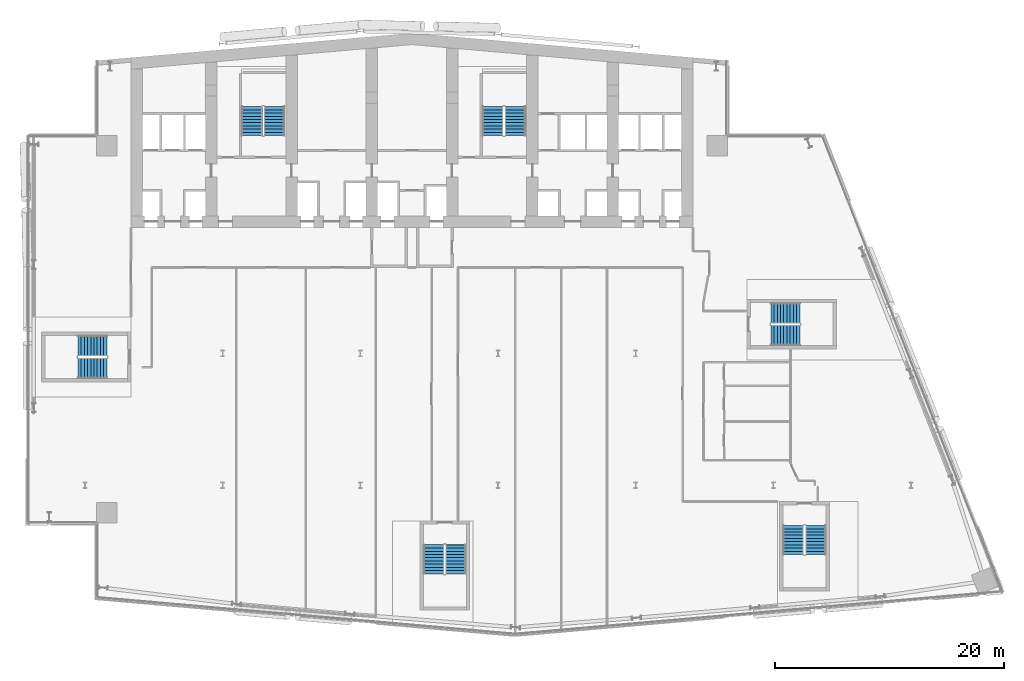
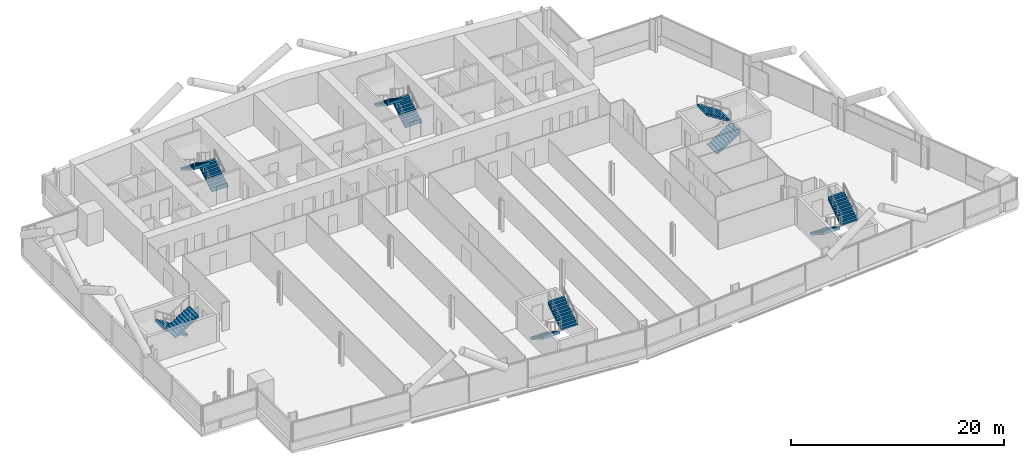
# One storey, part 19 of 25: 12 stair flights, 6 elements without a shape of their own.
"""IFC4 building model written with IfcOpenShell, lengths in metres."""

from ifc_helpers import new_model, si_unit, direction, frame, origin, place, context, subcontext, project, spatial, polyline, outline, extrude, material, type_object, element, aggregate, save


model = new_model("IFC4")

# Units and contexts
model_context = context("Model", 3, precision=1e-05, world=origin(), true_north=direction((0.0, 1.0)))
body_context = subcontext(model_context, "Body", "Model", "MODEL_VIEW")
ifc_project = project(units=[si_unit("LENGTHUNIT", "METRE"), si_unit("AREAUNIT", "SQUARE_METRE"), si_unit("VOLUMEUNIT", "CUBIC_METRE"), si_unit("PLANEANGLEUNIT", "RADIAN"), si_unit("MASSUNIT", "GRAM", prefix="KILO")], contexts=[model_context])

# Site, building, storey
site_placement = place(None, origin())
site = spatial("IfcSite", under=ifc_project, at=site_placement, CompositionType="ELEMENT")
building_placement = place(site_placement, origin())
building = spatial("IfcBuilding", under=site, at=building_placement, Name="Wharfspan Tower", CompositionType="ELEMENT")
storey_placement = place(building_placement, frame((0.0, 0.0, 121.899902)))
storey = spatial("IfcBuildingStorey", under=building, at=storey_placement, Name="L28", CompositionType="ELEMENT", Elevation=121.899902)

# Stair, stair flights
ifc_material = material(Name="Concrete C40/50", Category="concrete")
stair_type = type_object("IfcStairType", Name="Half-turn stair 20 risers 180 mm", PredefinedType="HALF_TURN_STAIR", material=ifc_material)
stair_1_placement = place(storey_placement, origin())
stair_1 = element("IfcStair", 1, at=stair_1_placement, inside=storey, type_object=stair_type, Name="L28 stair ST1", PredefinedType="HALF_TURN_STAIR")
stair_flight_type = type_object("IfcStairFlightType", Name="Stair flight 20 risers 180 mm", PredefinedType="STRAIGHT", material=ifc_material)
stair_flight_1_placement = place(storey_placement, frame((28.5, 42.0, 0.0), z_axis=(0.0, 0.0, 1.0), x_axis=(0.0, 1.0, 0.0)))
stair_flight_1 = element("IfcStairFlight", 2, at=stair_flight_1_placement, type_object=stair_flight_type, Name="ST1 flight 1", NumberOfRisers=10, NumberOfTreads=9, PredefinedType="STRAIGHT", RiserHeight=0.18, TreadLength=0.28, context=body_context, shape_type="SweptSolid", body=[
    extrude(outline(polyline([(-0.011963, 0.0), (-0.011963, 0.179932), (0.0, 0.179932), (0.280029, 0.179932), (0.280029, 0.360107), (0.560059, 0.360107), (0.560059, 0.540039), (0.840088, 0.540039), (0.840088, 0.719971), (1.120117, 0.719971), (1.120117, 0.899902), (1.399902, 0.899902), (1.399902, 1.080078), (1.679932, 1.080078), (1.679932, 1.26001), (1.959961, 1.26001), (1.959961, 1.439941), (2.23999, 1.439941), (2.23999, 1.620117), (2.52002, 1.620117), (2.531982, 1.800049), (2.531982, 1.441895), (0.2771, 0.0), (-0.011963, 0.0)])), frame((0.0, 0.899902, 0.0), z_axis=(0.0, -1.0, 0.0), x_axis=(1.0, 0.0, 0.0)), (0.0, 0.0, 1.0), 0.899414),
    extrude(outline(polyline([(-0.011963, 0.0), (-0.011963, 0.179932), (0.0, 0.179932), (0.280029, 0.179932), (0.280029, 0.360107), (0.560059, 0.360107), (0.560059, 0.540039), (0.840088, 0.540039), (0.840088, 0.719971), (1.120117, 0.719971), (1.120117, 0.899902), (1.399902, 0.899902), (1.399902, 1.080078), (1.679932, 1.080078), (1.679932, 1.26001), (1.959961, 1.26001), (1.959961, 1.439941), (2.23999, 1.439941), (2.23999, 1.620117), (2.52002, 1.620117), (2.531982, 1.800049), (2.531982, 1.441895), (0.2771, 0.0), (-0.011963, 0.0)])), frame((0.0, -0.000488, 0.0), z_axis=(0.0, -1.0, 0.0), x_axis=(1.0, 0.0, 0.0)), (0.0, 0.0, 1.0), 0.899414),
])
stair_flight_2_placement = place(storey_placement, frame((26.550049, 44.52002, 1.800049), z_axis=(0.0, 0.0, 1.0), x_axis=(0.0, -1.0, 0.0)))
stair_flight_2 = element("IfcStairFlight", 3, at=stair_flight_2_placement, type_object=stair_flight_type, Name="ST1 flight 2", NumberOfRisers=10, NumberOfTreads=9, PredefinedType="STRAIGHT", RiserHeight=0.18, TreadLength=0.28, context=body_context, shape_type="SweptSolid", body=[
    extrude(outline(polyline([(-0.011963, 0.0), (-0.011963, 0.179932), (0.0, 0.179932), (0.280029, 0.179932), (0.280029, 0.360107), (0.560059, 0.360107), (0.560059, 0.540039), (0.840088, 0.540039), (0.840088, 0.719971), (1.120117, 0.719971), (1.120117, 0.899902), (1.399902, 0.899902), (1.399902, 1.080078), (1.679932, 1.080078), (1.679932, 1.26001), (1.959961, 1.26001), (1.959961, 1.439941), (2.23999, 1.439941), (2.23999, 1.620117), (2.52002, 1.620117), (2.531982, 1.800049), (2.531982, 1.441895), (0.2771, 0.0), (-0.011963, 0.0)])), frame((0.0, 0.899902, 0.0), z_axis=(0.0, -1.0, 0.0), x_axis=(1.0, 0.0, 0.0)), (0.0, 0.0, 1.0), 0.899414),
    extrude(outline(polyline([(-0.011963, 0.0), (-0.011963, 0.179932), (0.0, 0.179932), (0.280029, 0.179932), (0.280029, 0.360107), (0.560059, 0.360107), (0.560059, 0.540039), (0.840088, 0.540039), (0.840088, 0.719971), (1.120117, 0.719971), (1.120117, 0.899902), (1.399902, 0.899902), (1.399902, 1.080078), (1.679932, 1.080078), (1.679932, 1.26001), (1.959961, 1.26001), (1.959961, 1.439941), (2.23999, 1.439941), (2.23999, 1.620117), (2.52002, 1.620117), (2.531982, 1.800049), (2.531982, 1.441895), (0.2771, 0.0), (-0.011963, 0.0)])), frame((0.0, -0.000488, 0.0), z_axis=(0.0, -1.0, 0.0), x_axis=(1.0, 0.0, 0.0)), (0.0, 0.0, 1.0), 0.899414),
])
aggregate(stair_1, [stair_flight_1, stair_flight_2])

stair_2_placement = place(storey_placement, origin())
stair_2 = element("IfcStair", 4, at=stair_2_placement, inside=storey, type_object=stair_type, Name="L28 stair ST2", PredefinedType="HALF_TURN_STAIR")
stair_flight_3_placement = place(storey_placement, frame((49.5, 42.0, 0.0), z_axis=(0.0, 0.0, 1.0), x_axis=(0.0, 1.0, 0.0)))
stair_flight_3 = element("IfcStairFlight", 5, at=stair_flight_3_placement, type_object=stair_flight_type, Name="ST2 flight 1", NumberOfRisers=10, NumberOfTreads=9, PredefinedType="STRAIGHT", RiserHeight=0.18, TreadLength=0.28, context=body_context, shape_type="SweptSolid", body=[
    extrude(outline(polyline([(-0.011963, 0.0), (-0.011963, 0.179932), (0.0, 0.179932), (0.280029, 0.179932), (0.280029, 0.360107), (0.560059, 0.360107), (0.560059, 0.540039), (0.840088, 0.540039), (0.840088, 0.719971), (1.120117, 0.719971), (1.120117, 0.899902), (1.399902, 0.899902), (1.399902, 1.080078), (1.679932, 1.080078), (1.679932, 1.26001), (1.959961, 1.26001), (1.959961, 1.439941), (2.23999, 1.439941), (2.23999, 1.620117), (2.52002, 1.620117), (2.531982, 1.800049), (2.531982, 1.441895), (0.2771, 0.0), (-0.011963, 0.0)])), frame((0.0, 0.899902, 0.0), z_axis=(0.0, -1.0, 0.0), x_axis=(1.0, 0.0, 0.0)), (0.0, 0.0, 1.0), 0.899414),
    extrude(outline(polyline([(-0.011963, 0.0), (-0.011963, 0.179932), (0.0, 0.179932), (0.280029, 0.179932), (0.280029, 0.360107), (0.560059, 0.360107), (0.560059, 0.540039), (0.840088, 0.540039), (0.840088, 0.719971), (1.120117, 0.719971), (1.120117, 0.899902), (1.399902, 0.899902), (1.399902, 1.080078), (1.679932, 1.080078), (1.679932, 1.26001), (1.959961, 1.26001), (1.959961, 1.439941), (2.23999, 1.439941), (2.23999, 1.620117), (2.52002, 1.620117), (2.531982, 1.800049), (2.531982, 1.441895), (0.2771, 0.0), (-0.011963, 0.0)])), frame((0.0, -0.000488, 0.0), z_axis=(0.0, -1.0, 0.0), x_axis=(1.0, 0.0, 0.0)), (0.0, 0.0, 1.0), 0.899414),
])
stair_flight_4_placement = place(storey_placement, frame((47.550049, 44.52002, 1.800049), z_axis=(0.0, 0.0, 1.0), x_axis=(0.0, -1.0, 0.0)))
stair_flight_4 = element("IfcStairFlight", 6, at=stair_flight_4_placement, type_object=stair_flight_type, Name="ST2 flight 2", NumberOfRisers=10, NumberOfTreads=9, PredefinedType="STRAIGHT", RiserHeight=0.18, TreadLength=0.28, context=body_context, shape_type="SweptSolid", body=[
    extrude(outline(polyline([(-0.011963, 0.0), (-0.011963, 0.179932), (0.0, 0.179932), (0.280029, 0.179932), (0.280029, 0.360107), (0.560059, 0.360107), (0.560059, 0.540039), (0.840088, 0.540039), (0.840088, 0.719971), (1.120117, 0.719971), (1.120117, 0.899902), (1.399902, 0.899902), (1.399902, 1.080078), (1.679932, 1.080078), (1.679932, 1.26001), (1.959961, 1.26001), (1.959961, 1.439941), (2.23999, 1.439941), (2.23999, 1.620117), (2.52002, 1.620117), (2.531982, 1.800049), (2.531982, 1.441895), (0.2771, 0.0), (-0.011963, 0.0)])), frame((0.0, 0.899902, 0.0), z_axis=(0.0, -1.0, 0.0), x_axis=(1.0, 0.0, 0.0)), (0.0, 0.0, 1.0), 0.899414),
    extrude(outline(polyline([(-0.011963, 0.0), (-0.011963, 0.179932), (0.0, 0.179932), (0.280029, 0.179932), (0.280029, 0.360107), (0.560059, 0.360107), (0.560059, 0.540039), (0.840088, 0.540039), (0.840088, 0.719971), (1.120117, 0.719971), (1.120117, 0.899902), (1.399902, 0.899902), (1.399902, 1.080078), (1.679932, 1.080078), (1.679932, 1.26001), (1.959961, 1.26001), (1.959961, 1.439941), (2.23999, 1.439941), (2.23999, 1.620117), (2.52002, 1.620117), (2.531982, 1.800049), (2.531982, 1.441895), (0.2771, 0.0), (-0.011963, 0.0)])), frame((0.0, -0.000488, 0.0), z_axis=(0.0, -1.0, 0.0), x_axis=(1.0, 0.0, 0.0)), (0.0, 0.0, 1.0), 0.899414),
])
aggregate(stair_2, [stair_flight_3, stair_flight_4])

stair_3_placement = place(storey_placement, origin())
stair_3 = element("IfcStair", 7, at=stair_3_placement, inside=storey, type_object=stair_type, Name="L28 stair ST3", PredefinedType="HALF_TURN_STAIR")
stair_flight_5_placement = place(storey_placement, frame((13.899902, 23.675049, 0.0), z_axis=(0.0, 0.0, 1.0), x_axis=(-1.0, 0.0, 0.0)))
stair_flight_5 = element("IfcStairFlight", 8, at=stair_flight_5_placement, type_object=stair_flight_type, Name="ST3 flight 1", NumberOfRisers=10, NumberOfTreads=9, PredefinedType="STRAIGHT", RiserHeight=0.18, TreadLength=0.28, context=body_context, shape_type="SweptSolid", body=[
    extrude(outline(polyline([(-0.011963, 0.0), (-0.011963, 0.179932), (0.0, 0.179932), (0.280029, 0.179932), (0.280029, 0.360107), (0.560059, 0.360107), (0.560059, 0.540039), (0.840088, 0.540039), (0.840088, 0.719971), (1.120117, 0.719971), (1.120117, 0.899902), (1.399902, 0.899902), (1.399902, 1.080078), (1.679932, 1.080078), (1.679932, 1.26001), (1.959961, 1.26001), (1.959961, 1.439941), (2.23999, 1.439941), (2.23999, 1.620117), (2.52002, 1.620117), (2.531982, 1.800049), (2.531982, 1.441895), (0.2771, 0.0), (-0.011963, 0.0)])), frame((0.0, 0.899902, 0.0), z_axis=(0.0, -1.0, 0.0), x_axis=(1.0, 0.0, 0.0)), (0.0, 0.0, 1.0), 0.899414),
    extrude(outline(polyline([(-0.011963, 0.0), (-0.011963, 0.179932), (0.0, 0.179932), (0.280029, 0.179932), (0.280029, 0.360107), (0.560059, 0.360107), (0.560059, 0.540039), (0.840088, 0.540039), (0.840088, 0.719971), (1.120117, 0.719971), (1.120117, 0.899902), (1.399902, 0.899902), (1.399902, 1.080078), (1.679932, 1.080078), (1.679932, 1.26001), (1.959961, 1.26001), (1.959961, 1.439941), (2.23999, 1.439941), (2.23999, 1.620117), (2.52002, 1.620117), (2.531982, 1.800049), (2.531982, 1.441895), (0.2771, 0.0), (-0.011963, 0.0)])), frame((0.0, -0.000488, 0.0), z_axis=(0.0, -1.0, 0.0), x_axis=(1.0, 0.0, 0.0)), (0.0, 0.0, 1.0), 0.899414),
])
stair_flight_6_placement = place(storey_placement, frame((11.379883, 21.725098, 1.800049), z_axis=(0.0, 0.0, 1.0), x_axis=(1.0, 0.0, 0.0)))
stair_flight_6 = element("IfcStairFlight", 9, at=stair_flight_6_placement, type_object=stair_flight_type, Name="ST3 flight 2", NumberOfRisers=10, NumberOfTreads=9, PredefinedType="STRAIGHT", RiserHeight=0.18, TreadLength=0.28, context=body_context, shape_type="SweptSolid", body=[
    extrude(outline(polyline([(-0.011963, 0.0), (-0.011963, 0.179932), (0.0, 0.179932), (0.280029, 0.179932), (0.280029, 0.360107), (0.560059, 0.360107), (0.560059, 0.540039), (0.840088, 0.540039), (0.840088, 0.719971), (1.120117, 0.719971), (1.120117, 0.899902), (1.399902, 0.899902), (1.399902, 1.080078), (1.679932, 1.080078), (1.679932, 1.26001), (1.959961, 1.26001), (1.959961, 1.439941), (2.23999, 1.439941), (2.23999, 1.620117), (2.52002, 1.620117), (2.531982, 1.800049), (2.531982, 1.441895), (0.2771, 0.0), (-0.011963, 0.0)])), frame((0.0, 0.899902, 0.0), z_axis=(0.0, -1.0, 0.0), x_axis=(1.0, 0.0, 0.0)), (0.0, 0.0, 1.0), 0.899414),
    extrude(outline(polyline([(-0.011963, 0.0), (-0.011963, 0.179932), (0.0, 0.179932), (0.280029, 0.179932), (0.280029, 0.360107), (0.560059, 0.360107), (0.560059, 0.540039), (0.840088, 0.540039), (0.840088, 0.719971), (1.120117, 0.719971), (1.120117, 0.899902), (1.399902, 0.899902), (1.399902, 1.080078), (1.679932, 1.080078), (1.679932, 1.26001), (1.959961, 1.26001), (1.959961, 1.439941), (2.23999, 1.439941), (2.23999, 1.620117), (2.52002, 1.620117), (2.531982, 1.800049), (2.531982, 1.441895), (0.2771, 0.0), (-0.011963, 0.0)])), frame((0.0, -0.000488, 0.0), z_axis=(0.0, -1.0, 0.0), x_axis=(1.0, 0.0, 0.0)), (0.0, 0.0, 1.0), 0.899414),
])
aggregate(stair_3, [stair_flight_5, stair_flight_6])

stair_4_placement = place(storey_placement, origin())
stair_4 = element("IfcStair", 10, at=stair_4_placement, inside=storey, type_object=stair_type, Name="L28 stair ST4", PredefinedType="HALF_TURN_STAIR")
stair_flight_7_placement = place(storey_placement, frame((42.385254, 6.316895, 0.0), z_axis=(0.0, 0.0, 1.0), x_axis=(0.0, -1.0, 0.0)))
stair_flight_7 = element("IfcStairFlight", 11, at=stair_flight_7_placement, type_object=stair_flight_type, Name="ST4 flight 1", NumberOfRisers=10, NumberOfTreads=9, PredefinedType="STRAIGHT", RiserHeight=0.18, TreadLength=0.28, context=body_context, shape_type="SweptSolid", body=[
    extrude(outline(polyline([(-0.011963, 0.0), (-0.011963, 0.179932), (0.0, 0.179932), (0.280029, 0.179932), (0.280029, 0.360107), (0.560059, 0.360107), (0.560059, 0.540039), (0.840088, 0.540039), (0.840088, 0.719971), (1.120117, 0.719971), (1.120117, 0.899902), (1.399902, 0.899902), (1.399902, 1.080078), (1.679932, 1.080078), (1.679932, 1.26001), (1.959961, 1.26001), (1.959961, 1.439941), (2.23999, 1.439941), (2.23999, 1.620117), (2.52002, 1.620117), (2.531982, 1.800049), (2.531982, 1.441895), (0.2771, 0.0), (-0.011963, 0.0)])), frame((0.0, 0.899902, 0.0), z_axis=(0.0, -1.0, 0.0), x_axis=(1.0, 0.0, 0.0)), (0.0, 0.0, 1.0), 0.899414),
    extrude(outline(polyline([(-0.011963, 0.0), (-0.011963, 0.179932), (0.0, 0.179932), (0.280029, 0.179932), (0.280029, 0.360107), (0.560059, 0.360107), (0.560059, 0.540039), (0.840088, 0.540039), (0.840088, 0.719971), (1.120117, 0.719971), (1.120117, 0.899902), (1.399902, 0.899902), (1.399902, 1.080078), (1.679932, 1.080078), (1.679932, 1.26001), (1.959961, 1.26001), (1.959961, 1.439941), (2.23999, 1.439941), (2.23999, 1.620117), (2.52002, 1.620117), (2.531982, 1.800049), (2.531982, 1.441895), (0.2771, 0.0), (-0.011963, 0.0)])), frame((0.0, -0.000488, 0.0), z_axis=(0.0, -1.0, 0.0), x_axis=(1.0, 0.0, 0.0)), (0.0, 0.0, 1.0), 0.899414),
])
stair_flight_8_placement = place(storey_placement, frame((44.335205, 3.796875, 1.800049), z_axis=(0.0, 0.0, 1.0), x_axis=(0.0, 1.0, 0.0)))
stair_flight_8 = element("IfcStairFlight", 12, at=stair_flight_8_placement, type_object=stair_flight_type, Name="ST4 flight 2", NumberOfRisers=10, NumberOfTreads=9, PredefinedType="STRAIGHT", RiserHeight=0.18, TreadLength=0.28, context=body_context, shape_type="SweptSolid", body=[
    extrude(outline(polyline([(-0.011963, 0.0), (-0.011963, 0.179932), (0.0, 0.179932), (0.280029, 0.179932), (0.280029, 0.360107), (0.560059, 0.360107), (0.560059, 0.540039), (0.840088, 0.540039), (0.840088, 0.719971), (1.120117, 0.719971), (1.120117, 0.899902), (1.399902, 0.899902), (1.399902, 1.080078), (1.679932, 1.080078), (1.679932, 1.26001), (1.959961, 1.26001), (1.959961, 1.439941), (2.23999, 1.439941), (2.23999, 1.620117), (2.52002, 1.620117), (2.531982, 1.800049), (2.531982, 1.441895), (0.2771, 0.0), (-0.011963, 0.0)])), frame((0.0, 0.899902, 0.0), z_axis=(0.0, -1.0, 0.0), x_axis=(1.0, 0.0, 0.0)), (0.0, 0.0, 1.0), 0.899414),
    extrude(outline(polyline([(-0.011963, 0.0), (-0.011963, 0.179932), (0.0, 0.179932), (0.280029, 0.179932), (0.280029, 0.360107), (0.560059, 0.360107), (0.560059, 0.540039), (0.840088, 0.540039), (0.840088, 0.719971), (1.120117, 0.719971), (1.120117, 0.899902), (1.399902, 0.899902), (1.399902, 1.080078), (1.679932, 1.080078), (1.679932, 1.26001), (1.959961, 1.26001), (1.959961, 1.439941), (2.23999, 1.439941), (2.23999, 1.620117), (2.52002, 1.620117), (2.531982, 1.800049), (2.531982, 1.441895), (0.2771, 0.0), (-0.011963, 0.0)])), frame((0.0, -0.000488, 0.0), z_axis=(0.0, -1.0, 0.0), x_axis=(1.0, 0.0, 0.0)), (0.0, 0.0, 1.0), 0.899414),
])
aggregate(stair_4, [stair_flight_7, stair_flight_8])

stair_5_placement = place(storey_placement, origin())
stair_5 = element("IfcStair", 13, at=stair_5_placement, inside=storey, type_object=stair_type, Name="L28 stair ST5", PredefinedType="HALF_TURN_STAIR")
stair_flight_9_placement = place(storey_placement, frame((73.740967, 7.994629, 0.0), z_axis=(0.0, 0.0, 1.0), x_axis=(0.0, -1.0, 0.0)))
stair_flight_9 = element("IfcStairFlight", 14, at=stair_flight_9_placement, type_object=stair_flight_type, Name="ST5 flight 1", NumberOfRisers=10, NumberOfTreads=9, PredefinedType="STRAIGHT", RiserHeight=0.18, TreadLength=0.28, context=body_context, shape_type="SweptSolid", body=[
    extrude(outline(polyline([(-0.011963, 0.0), (-0.011963, 0.179932), (0.0, 0.179932), (0.280029, 0.179932), (0.280029, 0.360107), (0.560059, 0.360107), (0.560059, 0.540039), (0.840088, 0.540039), (0.840088, 0.719971), (1.120117, 0.719971), (1.120117, 0.899902), (1.399902, 0.899902), (1.399902, 1.080078), (1.679932, 1.080078), (1.679932, 1.26001), (1.959961, 1.26001), (1.959961, 1.439941), (2.23999, 1.439941), (2.23999, 1.620117), (2.52002, 1.620117), (2.531982, 1.800049), (2.531982, 1.441895), (0.2771, 0.0), (-0.011963, 0.0)])), frame((0.0, 0.899902, 0.0), z_axis=(0.0, -1.0, 0.0), x_axis=(1.0, 0.0, 0.0)), (0.0, 0.0, 1.0), 0.899414),
    extrude(outline(polyline([(-0.011963, 0.0), (-0.011963, 0.179932), (0.0, 0.179932), (0.280029, 0.179932), (0.280029, 0.360107), (0.560059, 0.360107), (0.560059, 0.540039), (0.840088, 0.540039), (0.840088, 0.719971), (1.120117, 0.719971), (1.120117, 0.899902), (1.399902, 0.899902), (1.399902, 1.080078), (1.679932, 1.080078), (1.679932, 1.26001), (1.959961, 1.26001), (1.959961, 1.439941), (2.23999, 1.439941), (2.23999, 1.620117), (2.52002, 1.620117), (2.531982, 1.800049), (2.531982, 1.441895), (0.2771, 0.0), (-0.011963, 0.0)])), frame((0.0, -0.000488, 0.0), z_axis=(0.0, -1.0, 0.0), x_axis=(1.0, 0.0, 0.0)), (0.0, 0.0, 1.0), 0.899414),
])
stair_flight_10_placement = place(storey_placement, frame((75.690918, 5.474609, 1.800049), z_axis=(0.0, 0.0, 1.0), x_axis=(0.0, 1.0, 0.0)))
stair_flight_10 = element("IfcStairFlight", 15, at=stair_flight_10_placement, type_object=stair_flight_type, Name="ST5 flight 2", NumberOfRisers=10, NumberOfTreads=9, PredefinedType="STRAIGHT", RiserHeight=0.18, TreadLength=0.28, context=body_context, shape_type="SweptSolid", body=[
    extrude(outline(polyline([(-0.011963, 0.0), (-0.011963, 0.179932), (0.0, 0.179932), (0.280029, 0.179932), (0.280029, 0.360107), (0.560059, 0.360107), (0.560059, 0.540039), (0.840088, 0.540039), (0.840088, 0.719971), (1.120117, 0.719971), (1.120117, 0.899902), (1.399902, 0.899902), (1.399902, 1.080078), (1.679932, 1.080078), (1.679932, 1.26001), (1.959961, 1.26001), (1.959961, 1.439941), (2.23999, 1.439941), (2.23999, 1.620117), (2.52002, 1.620117), (2.531982, 1.800049), (2.531982, 1.441895), (0.2771, 0.0), (-0.011963, 0.0)])), frame((0.0, 0.899902, 0.0), z_axis=(0.0, -1.0, 0.0), x_axis=(1.0, 0.0, 0.0)), (0.0, 0.0, 1.0), 0.899414),
    extrude(outline(polyline([(-0.011963, 0.0), (-0.011963, 0.179932), (0.0, 0.179932), (0.280029, 0.179932), (0.280029, 0.360107), (0.560059, 0.360107), (0.560059, 0.540039), (0.840088, 0.540039), (0.840088, 0.719971), (1.120117, 0.719971), (1.120117, 0.899902), (1.399902, 0.899902), (1.399902, 1.080078), (1.679932, 1.080078), (1.679932, 1.26001), (1.959961, 1.26001), (1.959961, 1.439941), (2.23999, 1.439941), (2.23999, 1.620117), (2.52002, 1.620117), (2.531982, 1.800049), (2.531982, 1.441895), (0.2771, 0.0), (-0.011963, 0.0)])), frame((0.0, -0.000488, 0.0), z_axis=(0.0, -1.0, 0.0), x_axis=(1.0, 0.0, 0.0)), (0.0, 0.0, 1.0), 0.899414),
])
aggregate(stair_5, [stair_flight_9, stair_flight_10])

stair_6_placement = place(storey_placement, origin())
stair_6 = element("IfcStair", 16, at=stair_6_placement, inside=storey, type_object=stair_type, Name="L28 stair ST6", PredefinedType="HALF_TURN_STAIR")
stair_flight_11_placement = place(storey_placement, frame((71.790283, 24.574951, 0.0), z_axis=(0.0, 0.0, 1.0), x_axis=(1.0, 0.0, 0.0)))
stair_flight_11 = element("IfcStairFlight", 17, at=stair_flight_11_placement, type_object=stair_flight_type, Name="ST6 flight 1", NumberOfRisers=10, NumberOfTreads=9, PredefinedType="STRAIGHT", RiserHeight=0.18, TreadLength=0.28, context=body_context, shape_type="SweptSolid", body=[
    extrude(outline(polyline([(-0.011963, 0.0), (-0.011963, 0.179932), (0.0, 0.179932), (0.280029, 0.179932), (0.280029, 0.360107), (0.560059, 0.360107), (0.560059, 0.540039), (0.840088, 0.540039), (0.840088, 0.719971), (1.120117, 0.719971), (1.120117, 0.899902), (1.399902, 0.899902), (1.399902, 1.080078), (1.679932, 1.080078), (1.679932, 1.26001), (1.959961, 1.26001), (1.959961, 1.439941), (2.23999, 1.439941), (2.23999, 1.620117), (2.52002, 1.620117), (2.531982, 1.800049), (2.531982, 1.441895), (0.2771, 0.0), (-0.011963, 0.0)])), frame((0.0, 0.899902, 0.0), z_axis=(0.0, -1.0, 0.0), x_axis=(1.0, 0.0, 0.0)), (0.0, 0.0, 1.0), 0.899414),
    extrude(outline(polyline([(-0.011963, 0.0), (-0.011963, 0.179932), (0.0, 0.179932), (0.280029, 0.179932), (0.280029, 0.360107), (0.560059, 0.360107), (0.560059, 0.540039), (0.840088, 0.540039), (0.840088, 0.719971), (1.120117, 0.719971), (1.120117, 0.899902), (1.399902, 0.899902), (1.399902, 1.080078), (1.679932, 1.080078), (1.679932, 1.26001), (1.959961, 1.26001), (1.959961, 1.439941), (2.23999, 1.439941), (2.23999, 1.620117), (2.52002, 1.620117), (2.531982, 1.800049), (2.531982, 1.441895), (0.2771, 0.0), (-0.011963, 0.0)])), frame((0.0, -0.000488, 0.0), z_axis=(0.0, -1.0, 0.0), x_axis=(1.0, 0.0, 0.0)), (0.0, 0.0, 1.0), 0.899414),
])
stair_flight_12_placement = place(storey_placement, frame((74.310303, 26.524902, 1.800049), z_axis=(0.0, 0.0, 1.0), x_axis=(-1.0, 0.0, 0.0)))
stair_flight_12 = element("IfcStairFlight", 18, at=stair_flight_12_placement, type_object=stair_flight_type, Name="ST6 flight 2", NumberOfRisers=10, NumberOfTreads=9, PredefinedType="STRAIGHT", RiserHeight=0.18, TreadLength=0.28, context=body_context, shape_type="SweptSolid", body=[
    extrude(outline(polyline([(-0.011963, 0.0), (-0.011963, 0.179932), (0.0, 0.179932), (0.280029, 0.179932), (0.280029, 0.360107), (0.560059, 0.360107), (0.560059, 0.540039), (0.840088, 0.540039), (0.840088, 0.719971), (1.120117, 0.719971), (1.120117, 0.899902), (1.399902, 0.899902), (1.399902, 1.080078), (1.679932, 1.080078), (1.679932, 1.26001), (1.959961, 1.26001), (1.959961, 1.439941), (2.23999, 1.439941), (2.23999, 1.620117), (2.52002, 1.620117), (2.531982, 1.800049), (2.531982, 1.441895), (0.2771, 0.0), (-0.011963, 0.0)])), frame((0.0, 0.899902, 0.0), z_axis=(0.0, -1.0, 0.0), x_axis=(1.0, 0.0, 0.0)), (0.0, 0.0, 1.0), 0.899414),
    extrude(outline(polyline([(-0.011963, 0.0), (-0.011963, 0.179932), (0.0, 0.179932), (0.280029, 0.179932), (0.280029, 0.360107), (0.560059, 0.360107), (0.560059, 0.540039), (0.840088, 0.540039), (0.840088, 0.719971), (1.120117, 0.719971), (1.120117, 0.899902), (1.399902, 0.899902), (1.399902, 1.080078), (1.679932, 1.080078), (1.679932, 1.26001), (1.959961, 1.26001), (1.959961, 1.439941), (2.23999, 1.439941), (2.23999, 1.620117), (2.52002, 1.620117), (2.531982, 1.800049), (2.531982, 1.441895), (0.2771, 0.0), (-0.011963, 0.0)])), frame((0.0, -0.000488, 0.0), z_axis=(0.0, -1.0, 0.0), x_axis=(1.0, 0.0, 0.0)), (0.0, 0.0, 1.0), 0.899414),
])
aggregate(stair_6, [stair_flight_11, stair_flight_12])

save(model, "model.ifc")
